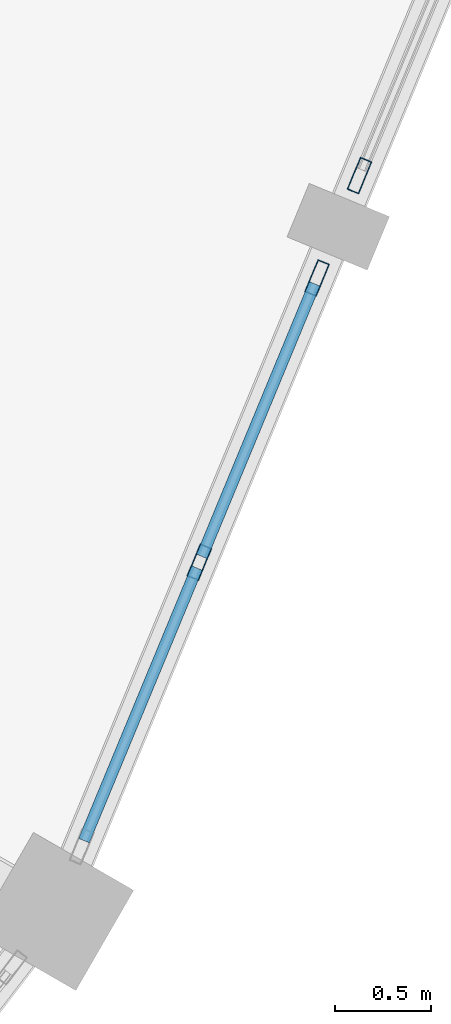
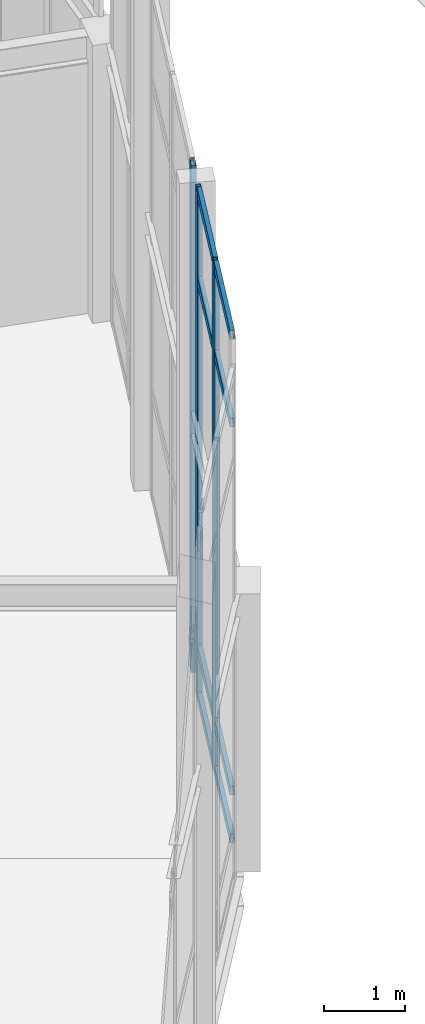
# One storey, part 109 of 185: 11 members, 2 elements without a shape of their own.
"""IFC4 building model written with IfcOpenShell, lengths in metres."""

from ifc_helpers import new_model, si_unit, direction, frame, origin, origin_2d, place, context, subcontext, project, spatial, hollow_rectangle, extrude, material, material_profile, profile_set, type_object, element, aggregate, save


model = new_model("IFC4")

# Units and contexts
model_context = context("Model", 3, precision=1e-05, world=origin(), true_north=direction((0.0, 1.0)))
body_context = subcontext(model_context, "Body", "Model", "MODEL_VIEW")
ifc_project = project(units=[si_unit("LENGTHUNIT", "METRE"), si_unit("AREAUNIT", "SQUARE_METRE"), si_unit("VOLUMEUNIT", "CUBIC_METRE"), si_unit("PLANEANGLEUNIT", "RADIAN"), si_unit("MASSUNIT", "GRAM", prefix="KILO")], contexts=[model_context])

# Site, building, storey
site_placement = place(None, origin())
site = spatial("IfcSite", under=ifc_project, at=site_placement, CompositionType="ELEMENT")
building_placement = place(site_placement, origin())
building = spatial("IfcBuilding", under=site, at=building_placement, Name="Vondelvale Polytechnic", CompositionType="ELEMENT")
storey_placement = place(building_placement, frame((0.0, 0.0, 9.60009765625)))
storey = spatial("IfcBuildingStorey", under=building, at=storey_placement, Name="L02", CompositionType="ELEMENT", Elevation=9.60009765625)

# Curtain wall, members
ifc_material_1 = material(Name="Glulam GL18 structural Tasmanian oak (fb = 42 MPa)", Category="wood")
curtain_wall_type = type_object("IfcCurtainWallType", Name="CW-RING-OUTER", PredefinedType="NOTDEFINED", material=ifc_material_1)
curtain_wall_1_placement = place(storey_placement, origin())
curtain_wall_1 = element("IfcCurtainWall", 1, at=curtain_wall_1_placement, inside=storey, type_object=curtain_wall_type, Name="L02 architectural curtain wall CW-04-367", PredefinedType="NOTDEFINED")
ifc_material_2 = material(Name="Anodised extruded aluminium 6063-T6", Category="aluminium")
ifc_material_profile_1 = material_profile(ifc_material_2, hollow_rectangle(XDim=0.06494140625, YDim=0.179931640625, WallThickness=0.00390625, at=origin_2d()), Name="CW-MUL-180x65")
ifc_profile_set_1 = profile_set([ifc_material_profile_1], Name="Anodised extruded aluminium 6063-T6")
member_type_1 = type_object("IfcMemberType", Name="CW-MUL-65x180", PredefinedType="MULLION", material=ifc_profile_set_1)
member_1_placement = place(storey_placement, frame((142.58740234375, 50.81103515625, 0.0), z_axis=(0.0, 0.0, 1.0), x_axis=(-0.923882033442, 0.382677394529, 0.0)))
member_1 = element("IfcMember", 2, at=member_1_placement, type_object=member_type_1, Name="CW-04-367 mullion 2", PredefinedType="MULLION", context=body_context, shape_type="SweptSolid", body=[
    extrude(hollow_rectangle(XDim=0.06494140625, YDim=0.179931640625, WallThickness=0.00390625, at=origin_2d()), origin(), (0.0, 0.0, 1.0), 7.661376953125),
])
member_2_placement = place(storey_placement, frame((143.19775390625, 52.28466796875, 0.0), z_axis=(0.0, 0.0, 1.0), x_axis=(-0.923882033442, 0.382677394529, 0.0)))
member_2 = element("IfcMember", 3, at=member_2_placement, type_object=member_type_1, Name="CW-04-367 mullion 3", PredefinedType="MULLION", context=body_context, shape_type="SweptSolid", body=[
    extrude(hollow_rectangle(XDim=0.06494140625, YDim=0.179931640625, WallThickness=0.00390625, at=origin_2d()), origin(), (0.0, 0.0, 1.0), 7.661376953125),
])

# Curtain wall, member
curtain_wall_2_placement = place(storey_placement, origin())
curtain_wall_2 = element("IfcCurtainWall", 4, at=curtain_wall_2_placement, inside=storey, type_object=curtain_wall_type, Name="L02 architectural curtain wall CW-04-368", PredefinedType="NOTDEFINED")
member_3_placement = place(storey_placement, frame((143.417724609375, 52.81591796875, 0.0), z_axis=(0.0, 0.0, 1.0), x_axis=(-0.92387490701, 0.382694599123, 0.0)))
member_3 = element("IfcMember", 5, at=member_3_placement, type_object=member_type_1, Name="CW-04-368 mullion 1", PredefinedType="MULLION", context=body_context, shape_type="SweptSolid", body=[
    extrude(hollow_rectangle(XDim=0.06494140625, YDim=0.179931640625, WallThickness=0.00390625, at=origin_2d()), origin(), (0.0, 0.0, 1.0), 7.661376953125),
])
aggregate(curtain_wall_2, [member_3])

# Member
ifc_material_profile_2 = material_profile(ifc_material_2, hollow_rectangle(XDim=0.06005859375, YDim=0.139892578125, WallThickness=0.00341796875, at=origin_2d()), Name="CW-TRN-140x60")
ifc_profile_set_2 = profile_set([ifc_material_profile_2], Name="Anodised extruded aluminium 6063-T6")
member_type_2 = type_object("IfcMemberType", Name="CW-TRN-60x140", PredefinedType="USERDEFINED", material=ifc_profile_set_2)
member_4_placement = place(storey_placement, frame((141.9892578125, 49.367431640625, 0.02978515625), z_axis=(0.382779237206, 0.923839843027, 0.0), x_axis=(-0.923839843027, 0.382779237206, 0.0)))
member_4 = element("IfcMember", 6, at=member_4_placement, type_object=member_type_2, Name="CW-04-367 transom 1.1", ObjectType="TRANSOM", PredefinedType="USERDEFINED", context=body_context, shape_type="SweptSolid", body=[
    extrude(hollow_rectangle(XDim=0.06005859375, YDim=0.139892578125, WallThickness=0.00341796875, at=origin_2d()), origin(), (0.0, 0.0, 1.0), 1.530029296875),
])

member_5_placement = place(storey_placement, frame((141.9892578125, 49.367431640625, 0.75), z_axis=(0.382779237206, 0.923839843027, 0.0), x_axis=(-0.923839843027, 0.382779237206, 0.0)))
member_5 = element("IfcMember", 7, at=member_5_placement, type_object=member_type_2, Name="CW-04-367 transom 1.2", ObjectType="TRANSOM", PredefinedType="USERDEFINED", context=body_context, shape_type="SweptSolid", body=[
    extrude(hollow_rectangle(XDim=0.06005859375, YDim=0.139892578125, WallThickness=0.00341796875, at=origin_2d()), origin(), (0.0, 0.0, 1.0), 1.530029296875),
])

member_6_placement = place(storey_placement, frame((141.9892578125, 49.367431640625, 6.311279296875), z_axis=(0.382779237206, 0.923839843027, 0.0), x_axis=(-0.923839843027, 0.382779237206, 0.0)))
member_6 = element("IfcMember", 8, at=member_6_placement, type_object=member_type_2, Name="CW-04-367 transom 1.3", ObjectType="TRANSOM", PredefinedType="USERDEFINED", context=body_context, shape_type="SweptSolid", body=[
    extrude(hollow_rectangle(XDim=0.06005859375, YDim=0.139892578125, WallThickness=0.00341796875, at=origin_2d()), origin(), (0.0, 0.0, 1.0), 1.530029296875),
])

member_7_placement = place(storey_placement, frame((141.9892578125, 49.367431640625, 7.63134765625), z_axis=(0.382779237206, 0.923839843027, 0.0), x_axis=(-0.923839843027, 0.382779237206, 0.0)))
member_7 = element("IfcMember", 9, at=member_7_placement, type_object=member_type_2, Name="CW-04-367 transom 1.4", ObjectType="TRANSOM", PredefinedType="USERDEFINED", context=body_context, shape_type="SweptSolid", body=[
    extrude(hollow_rectangle(XDim=0.06005859375, YDim=0.139892578125, WallThickness=0.00341796875, at=origin_2d()), origin(), (0.0, 0.0, 1.0), 1.530029296875),
])

member_8_placement = place(storey_placement, frame((142.599853515625, 50.841064453125, 0.02978515625), z_axis=(0.382643045304, 0.923896260346, 0.0), x_axis=(-0.923896260346, 0.382643045304, 0.0)))
member_8 = element("IfcMember", 10, at=member_8_placement, type_object=member_type_2, Name="CW-04-367 transom 2.1", ObjectType="TRANSOM", PredefinedType="USERDEFINED", context=body_context, shape_type="SweptSolid", body=[
    extrude(hollow_rectangle(XDim=0.06005859375, YDim=0.139892578125, WallThickness=0.00341796875, at=origin_2d()), origin(), (0.0, 0.0, 1.0), 1.530029296875),
])

member_9_placement = place(storey_placement, frame((142.599853515625, 50.841064453125, 0.75), z_axis=(0.382643045304, 0.923896260346, 0.0), x_axis=(-0.923896260346, 0.382643045304, 0.0)))
member_9 = element("IfcMember", 11, at=member_9_placement, type_object=member_type_2, Name="CW-04-367 transom 2.2", ObjectType="TRANSOM", PredefinedType="USERDEFINED", context=body_context, shape_type="SweptSolid", body=[
    extrude(hollow_rectangle(XDim=0.06005859375, YDim=0.139892578125, WallThickness=0.00341796875, at=origin_2d()), origin(), (0.0, 0.0, 1.0), 1.530029296875),
])

member_10_placement = place(storey_placement, frame((142.599853515625, 50.841064453125, 6.311279296875), z_axis=(0.382643045304, 0.923896260346, 0.0), x_axis=(-0.923896260346, 0.382643045304, 0.0)))
member_10 = element("IfcMember", 12, at=member_10_placement, type_object=member_type_2, Name="CW-04-367 transom 2.3", ObjectType="TRANSOM", PredefinedType="USERDEFINED", context=body_context, shape_type="SweptSolid", body=[
    extrude(hollow_rectangle(XDim=0.06005859375, YDim=0.139892578125, WallThickness=0.00341796875, at=origin_2d()), origin(), (0.0, 0.0, 1.0), 1.530029296875),
])

member_11_placement = place(storey_placement, frame((142.599853515625, 50.841064453125, 7.63134765625), z_axis=(0.382643045304, 0.923896260346, 0.0), x_axis=(-0.923896260346, 0.382643045304, 0.0)))
member_11 = element("IfcMember", 13, at=member_11_placement, type_object=member_type_2, Name="CW-04-367 transom 2.4", ObjectType="TRANSOM", PredefinedType="USERDEFINED", context=body_context, shape_type="SweptSolid", body=[
    extrude(hollow_rectangle(XDim=0.06005859375, YDim=0.139892578125, WallThickness=0.00341796875, at=origin_2d()), origin(), (0.0, 0.0, 1.0), 1.530029296875),
])

aggregate(curtain_wall_1, [member_1, member_2, member_4, member_5, member_6, member_7, member_8, member_9, member_10, member_11])

save(model, "model.ifc")
